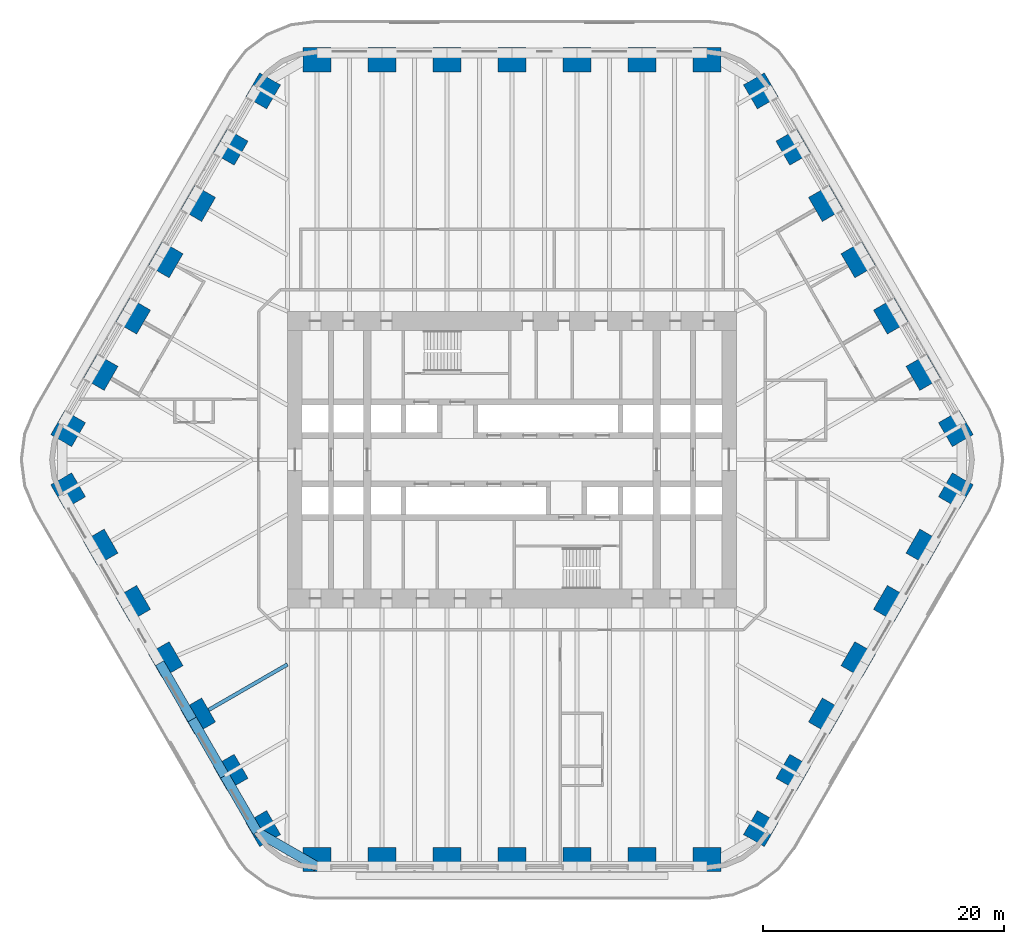
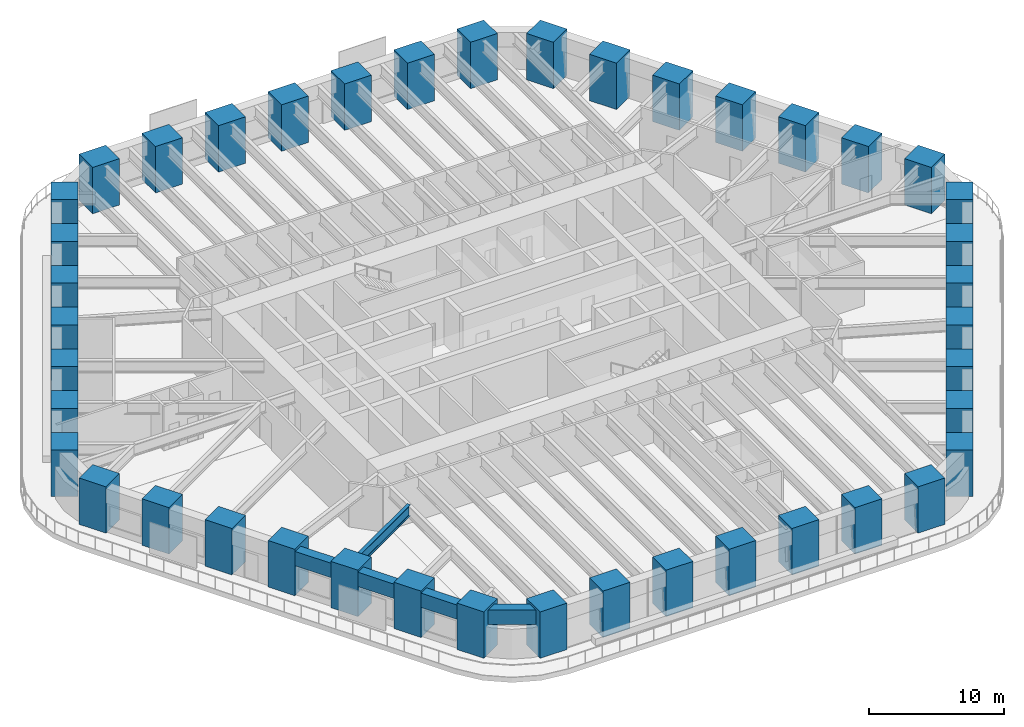
# One storey, part 1 of 23: 42 columns, 5 beams.
"""IFC4 building model written with IfcOpenShell, lengths in metres."""

import ifcopenshell
import ifcopenshell.guid

model = None  # the IFC model being written
_history = None  # IfcOwnerHistory: only IFC2X3 demands one
_inside = {}  # id of a spatial element -> (the spatial element, [elements in it])
_under = {}  # id of a project, library or spatial element -> (it, [spatial elements below it])
_declared = {}  # id of a project -> (the project, [libraries it declares])
_typed = {}  # id of a type object -> (the type object, [elements of that type])
_made_of = {}  # id of a material, layer set ... -> (it, [elements and type objects made of it])


def new_model(schema):
    """Start an empty IFC model of exactly this schema.

    Asked for "IFC4X3", IfcOpenShell would pick the latest addendum, in which some entities
    have other attributes; the version numbers below select the first issue.
    IFC2X3 requires an IfcOwnerHistory on every rooted entity: one is made here for all.
    """
    global model, _history
    if schema == "IFC4X3":
        model = ifcopenshell.file(schema_version=(4, 3, 0, 0))
    else:
        model = ifcopenshell.file(schema=schema)
    _inside.clear()
    _under.clear()
    _declared.clear()
    _typed.clear()
    _made_of.clear()
    _history = None
    if model.schema == "IFC2X3":
        org = make("IfcOrganization", Name="unknown")
        user = make(
            "IfcPersonAndOrganization",
            ThePerson=make("IfcPerson", FamilyName="unknown"),
            TheOrganization=org,
        )
        app = make(
            "IfcApplication",
            ApplicationDeveloper=org,
            Version="unknown",
            ApplicationFullName="unknown",
            ApplicationIdentifier="unknown",
        )
        _history = make(
            "IfcOwnerHistory",
            OwningUser=user,
            OwningApplication=app,
            ChangeAction="ADDED",
            CreationDate=0,
        )
    return model


def make(cls, **values):
    """One entity of the class cls with the attributes given. An attribute that is None is left unset."""
    return model.create_entity(
        cls, **{name: value for name, value in values.items() if value is not None}
    )


def rooted(cls, **values):
    """An entity with a GlobalId (a new one), such as an element, a storey or a relation."""
    return make(cls, GlobalId=ifcopenshell.guid.new(), OwnerHistory=_history, **values)


def si_unit(unit_type, name, prefix=None):
    """IfcSIUnit, for example si_unit("LENGTHUNIT", "METRE", prefix="MILLI")."""
    return make("IfcSIUnit", UnitType=unit_type, Prefix=prefix, Name=name)


def assignment(units):
    """IfcUnitAssignment: the units of a project."""
    return None if units is None else make("IfcUnitAssignment", Units=units)


def point(xyz):
    """IfcCartesianPoint."""
    return None if xyz is None else make("IfcCartesianPoint", Coordinates=xyz)


def direction(xyz):
    """IfcDirection."""
    return None if xyz is None else make("IfcDirection", DirectionRatios=xyz)


def frame(location, z_axis=None, x_axis=None):
    """IfcAxis2Placement3D, a coordinate frame: its origin and axes. An axis left out is left unset."""
    return make(
        "IfcAxis2Placement3D",
        Location=point(location),
        Axis=direction(z_axis),
        RefDirection=direction(x_axis),
    )


def frame_2d(location, x_axis=None):
    """IfcAxis2Placement2D, a coordinate frame in the plane: its origin and x axis."""
    return make(
        "IfcAxis2Placement2D", Location=point(location), RefDirection=direction(x_axis)
    )


def origin():
    """The frame at (0, 0, 0) with its axes left unset."""
    return frame((0.0, 0.0, 0.0))


def origin_2d():
    """The frame at (0, 0) in the plane with its x axis left unset."""
    return frame_2d((0.0, 0.0))


def place(relative_to, where):
    """IfcLocalPlacement: puts the frame where relative to a parent placement (None: the world)."""
    return make(
        "IfcLocalPlacement", PlacementRelTo=relative_to, RelativePlacement=where
    )


def context(
    kind, dimensions, precision=None, world=None, true_north=None, identifier=None
):
    """IfcGeometricRepresentationContext, for example the 3D "Model" context."""
    return make(
        "IfcGeometricRepresentationContext",
        ContextIdentifier=identifier,
        ContextType=kind,
        CoordinateSpaceDimension=dimensions,
        Precision=precision,
        WorldCoordinateSystem=world,
        TrueNorth=true_north,
    )


def subcontext(parent, identifier, kind, view, scale=None):
    """IfcGeometricRepresentationSubContext, for example "Body" below "Model"."""
    return make(
        "IfcGeometricRepresentationSubContext",
        ContextIdentifier=identifier,
        ContextType=kind,
        ParentContext=parent,
        TargetScale=scale,
        TargetView=view,
    )


def project(units=None, contexts=None):
    """IfcProject with its units and contexts."""
    return rooted(
        "IfcProject",
        Name="project",
        RepresentationContexts=contexts,
        UnitsInContext=assignment(units),
    )


def spatial(cls, under=None, at=None, **own):
    """A site, building, storey or space (cls), placed at a placement, below another one or the project."""
    s = rooted(cls, ObjectPlacement=at, **own)
    if under is not None:
        _under.setdefault(under.id(), (under, []))[1].append(s)
    return s


def profile(cls, at=None, kind="AREA", **sizes):
    """A parametric profile (cls). Its sizes go by their IFC names, for example OverallWidth=200.0."""
    return make(cls, ProfileType=kind, Position=at, **sizes)


def rectangle(**sizes):
    """IfcRectangleProfileDef."""
    return profile("IfcRectangleProfileDef", **sizes)


def i_section(**sizes):
    """IfcIShapeProfileDef."""
    return profile("IfcIShapeProfileDef", **sizes)


def extrude(swept, where, along, depth):
    """IfcExtrudedAreaSolid: the profile swept, set in the frame where, extruded along a direction by depth."""
    return make(
        "IfcExtrudedAreaSolid",
        SweptArea=swept,
        Position=where,
        ExtrudedDirection=direction(along),
        Depth=depth,
    )


def shape(context_of_items, identifier, shape_type, items):
    """IfcShapeRepresentation: the items that make up one representation, for example the "Body"."""
    return make(
        "IfcShapeRepresentation",
        ContextOfItems=context_of_items,
        RepresentationIdentifier=identifier,
        RepresentationType=shape_type,
        Items=items,
    )


def material(Name=None, Category=None):
    """IfcMaterial."""
    return make("IfcMaterial", Name=Name, Category=Category)


def material_profile(
    of_material, cross_section, Name=None, Category=None, Priority=None
):
    """IfcMaterialProfile: a cross section and its material."""
    return make(
        "IfcMaterialProfile",
        Name=Name,
        Material=of_material,
        Profile=cross_section,
        Priority=Priority,
        Category=Category,
    )


def profile_set(profiles, Name=None, composite=None):
    """IfcMaterialProfileSet."""
    return make(
        "IfcMaterialProfileSet",
        Name=Name,
        MaterialProfiles=profiles,
        CompositeProfile=composite,
    )


def made_of(thing, what):
    """Note that an element or type object is made of a material, layer set ...; save() writes the relation."""
    if what is not None:
        _made_of.setdefault(what.id(), (what, []))[1].append(thing)
    return thing


def type_object(cls, material=None, **own):
    """A type object (cls), such as IfcWallType, which elements share."""
    return made_of(rooted(cls, **own), material)


def element(
    cls,
    number,
    at=None,
    inside=None,
    cuts=None,
    type_object=None,
    material=None,
    context=None,
    identifier="Body",
    shape_type=None,
    held_by="IfcProductDefinitionShape",
    body=None,
    shapes=None,
    **own,
):
    """One element of the class cls, such as IfcWall. Its Tag is "e" and its number.

    at: its placement. inside: the storey or other place that contains it. cuts: it is an
    opening in that element (IfcRelVoidsElement). A single representation is given by context,
    identifier, shape_type and body (its items); several are given by shapes. held_by: the class
    of the entity that holds the representations. save() writes the other relations.
    """
    e = rooted(cls, Tag="e%d" % number, ObjectPlacement=at, **own)
    if body is not None:
        shapes = [shape(context, identifier, shape_type, body)]
    if shapes is not None:
        e.Representation = make(held_by, Representations=shapes)
    if inside is not None:
        _inside.setdefault(inside.id(), (inside, []))[1].append(e)
    if cuts is not None:
        rooted(
            "IfcRelVoidsElement", RelatingBuildingElement=cuts, RelatedOpeningElement=e
        )
    if type_object is not None:
        _typed.setdefault(type_object.id(), (type_object, []))[1].append(e)
    return made_of(e, material)


def aggregate(whole, parts):
    """IfcRelAggregates: a whole, such as a stair, and the parts it consists of."""
    return rooted("IfcRelAggregates", RelatingObject=whole, RelatedObjects=parts)


def save(model, path):
    """Write the relations noted so far, then the file.

    IfcRelAggregates (storeys below a building ...), IfcRelContainedInSpatialStructure (elements
    in a storey), IfcRelDefinesByType, IfcRelAssociatesMaterial and IfcRelDeclares: one each for
    every whole, place, type object, material and project.
    """
    for whole, parts in _under.values():
        aggregate(whole, parts)
    for where, things in _inside.values():
        rooted(
            "IfcRelContainedInSpatialStructure",
            RelatedElements=things,
            RelatingStructure=where,
        )
    for kind, things in _typed.values():
        rooted("IfcRelDefinesByType", RelatedObjects=things, RelatingType=kind)
    for what, things in _made_of.values():
        rooted("IfcRelAssociatesMaterial", RelatedObjects=things, RelatingMaterial=what)
    for by, libraries in _declared.values():
        rooted("IfcRelDeclares", RelatingContext=by, RelatedDefinitions=libraries)
    model.write(path)


model = new_model("IFC4")

# Units and contexts
model_context = context("Model", 3, precision=1e-05, world=origin(), true_north=direction((0.0, 1.0)))
body_context = subcontext(model_context, "Body", "Model", "MODEL_VIEW")
ifc_project = project(units=[si_unit("LENGTHUNIT", "METRE"), si_unit("AREAUNIT", "SQUARE_METRE"), si_unit("VOLUMEUNIT", "CUBIC_METRE"), si_unit("PLANEANGLEUNIT", "RADIAN"), si_unit("MASSUNIT", "GRAM", prefix="KILO")], contexts=[model_context])

# Site, building, storey
site_placement = place(None, origin())
site = spatial("IfcSite", under=ifc_project, at=site_placement, CompositionType="ELEMENT")
building_placement = place(site_placement, origin())
building = spatial("IfcBuilding", under=site, at=building_placement, Name="Tarfa Lantern Tower", CompositionType="ELEMENT")
storey_placement = place(building_placement, frame((0.0, 0.0, 40.300048828125)))
storey = spatial("IfcBuildingStorey", under=building, at=storey_placement, Name="L08", CompositionType="ELEMENT", Elevation=40.300048828125)

# Columns
ifc_material_1 = material(Name="Concrete C80/95", Category="concrete")
ifc_material_profile_1 = material_profile(ifc_material_1, rectangle(XDim=2.300048828125, YDim=2.0, at=origin_2d()), Name="RC 2300x2000")
ifc_profile_set_1 = profile_set([ifc_material_profile_1], Name="Concrete C80/95")
column_type = type_object("IfcColumnType", Name="TC1 RC 2300x2000", PredefinedType="COLUMN", material=ifc_profile_set_1)
for number, where, z_axis, x_axis, name in (
    (1, (36.791748046875, 2.574951171875, 0.0), (0.0, 0.0, 1.0), (-0.5, 0.866025403784, 0.0), "Tube column NE0"),
    (2, (34.097412109375, 7.24169921875, 0.0), (0.0, 0.0, 1.0), (-0.5, 0.866025403784, 0.0), "Tube column NE1"),
    (3, (31.403076171875, 11.908447265625, 0.0), (0.0, 0.0, 1.0), (-0.5, 0.866025403784, 0.0), "Tube column NE2"),
    (4, (28.708740234375, 16.574951171875, 0.0), (0.0, 0.0, 1.0), (-0.5, 0.866025403784, 0.0), "Tube column NE3"),
    (5, (26.014404296875, 21.24169921875, 0.0), (0.0, 0.0, 1.0), (-0.5, 0.866025403784, 0.0), "Tube column NE4"),
    (6, (23.320068359375, 25.908447265625, 0.0), (0.0, 0.0, 1.0), (-0.5, 0.866025403784, 0.0), "Tube column NE5"),
    (7, (20.625732421875, 30.574951171875, 0.0), (0.0, 0.0, 1.0), (-0.5, 0.866025403784, 0.0), "Tube column NE6"),
    (8, (16.165771484375, 33.14990234375, 0.0), (0.0, 0.0, 1.0), (-1.0, 0.0, 0.0), "Tube column N0"),
    (9, (10.777099609375, 33.14990234375, 0.0), (0.0, 0.0, 1.0), (-1.0, 0.0, 0.0), "Tube column N1"),
    (10, (5.388671875, 33.14990234375, 0.0), (0.0, 0.0, 1.0), (-1.0, 0.0, 0.0), "Tube column N2"),
    (11, (0.0, 33.14990234375, 0.0), (0.0, 0.0, 1.0), (-1.0, 0.0, 0.0), "Tube column N3"),
    (12, (-5.388671875, 33.14990234375, 0.0), (0.0, 0.0, 1.0), (-1.0, 0.0, 0.0), "Tube column N4"),
    (13, (-10.777099609375, 33.14990234375, 0.0), (0.0, 0.0, 1.0), (-1.0, 0.0, 0.0), "Tube column N5"),
    (14, (-16.165771484375, 33.14990234375, 0.0), (0.0, 0.0, 1.0), (-1.0, 0.0, 0.0), "Tube column N6"),
    (15, (-20.625732421875, 30.574951171875, 0.0), (0.0, 0.0, 1.0), (-0.5, -0.866025403784, 0.0), "Tube column NW0"),
    (16, (-23.320068359375, 25.908447265625, 0.0), (0.0, 0.0, 1.0), (-0.5, -0.866025403784, 0.0), "Tube column NW1"),
    (17, (-26.014404296875, 21.24169921875, 0.0), (0.0, 0.0, 1.0), (-0.5, -0.866025403784, 0.0), "Tube column NW2"),
    (18, (-28.708740234375, 16.574951171875, 0.0), (0.0, 0.0, 1.0), (-0.5, -0.866025403784, 0.0), "Tube column NW3"),
    (19, (-31.403076171875, 11.908447265625, 0.0), (0.0, 0.0, 1.0), (-0.5, -0.866025403784, 0.0), "Tube column NW4"),
    (20, (-34.097412109375, 7.24169921875, 0.0), (0.0, 0.0, 1.0), (-0.5, -0.866025403784, 0.0), "Tube column NW5"),
    (21, (-36.791748046875, 2.574951171875, 0.0), (0.0, 0.0, 1.0), (-0.5, -0.866025403784, 0.0), "Tube column NW6"),
    (22, (-36.791748046875, -2.574951171875, 0.0), (0.0, 0.0, 1.0), (0.5, -0.866025403784, 0.0), "Tube column SW0"),
    (23, (-34.097412109375, -7.24169921875, 0.0), (0.0, 0.0, 1.0), (0.5, -0.866025403784, 0.0), "Tube column SW1"),
    (24, (-31.403076171875, -11.908447265625, 0.0), (0.0, 0.0, 1.0), (0.5, -0.866025403784, 0.0), "Tube column SW2"),
    (25, (-28.708740234375, -16.574951171875, 0.0), (0.0, 0.0, 1.0), (0.5, -0.866025403784, 0.0), "Tube column SW3"),
    (26, (-26.014404296875, -21.24169921875, 0.0), (0.0, 0.0, 1.0), (0.5, -0.866025403784, 0.0), "Tube column SW4"),
    (27, (-23.320068359375, -25.908447265625, 0.0), (0.0, 0.0, 1.0), (0.5, -0.866025403784, 0.0), "Tube column SW5"),
    (28, (-20.625732421875, -30.574951171875, 0.0), (0.0, 0.0, 1.0), (0.5, -0.866025403784, 0.0), "Tube column SW6"),
    (29, (-16.165771484375, -33.14990234375, 0.0), (0.0, 0.0, 1.0), (1.0, 0.0, 0.0), "Tube column S0"),
    (30, (-10.777099609375, -33.14990234375, 0.0), (0.0, 0.0, 1.0), (1.0, 0.0, 0.0), "Tube column S1"),
    (31, (-5.388671875, -33.14990234375, 0.0), (0.0, 0.0, 1.0), (1.0, 0.0, 0.0), "Tube column S2"),
    (32, (0.0, -33.14990234375, 0.0), (0.0, 0.0, 1.0), (1.0, 0.0, 0.0), "Tube column S3"),
    (33, (5.388671875, -33.14990234375, 0.0), (0.0, 0.0, 1.0), (1.0, 0.0, 0.0), "Tube column S4"),
    (34, (10.777099609375, -33.14990234375, 0.0), (0.0, 0.0, 1.0), (1.0, 0.0, 0.0), "Tube column S5"),
    (35, (16.165771484375, -33.14990234375, 0.0), (0.0, 0.0, 1.0), (1.0, 0.0, 0.0), "Tube column S6"),
    (36, (20.625732421875, -30.574951171875, 0.0), (0.0, 0.0, 1.0), (0.5, 0.866025403784, 0.0), "Tube column SE0"),
    (37, (23.320068359375, -25.908447265625, 0.0), (0.0, 0.0, 1.0), (0.5, 0.866025403784, 0.0), "Tube column SE1"),
    (38, (26.014404296875, -21.24169921875, 0.0), (0.0, 0.0, 1.0), (0.5, 0.866025403784, 0.0), "Tube column SE2"),
    (39, (28.708740234375, -16.574951171875, 0.0), (0.0, 0.0, 1.0), (0.5, 0.866025403784, 0.0), "Tube column SE3"),
    (40, (31.403076171875, -11.908447265625, 0.0), (0.0, 0.0, 1.0), (0.5, 0.866025403784, 0.0), "Tube column SE4"),
    (41, (34.097412109375, -7.24169921875, 0.0), (0.0, 0.0, 1.0), (0.5, 0.866025403784, 0.0), "Tube column SE5"),
    (42, (36.791748046875, -2.574951171875, 0.0), (0.0, 0.0, 1.0), (0.5, 0.866025403784, 0.0), "Tube column SE6"),
):
    element("IfcColumn", number, at=place(storey_placement, frame(where, z_axis=z_axis, x_axis=x_axis)), inside=storey, type_object=column_type, Name=name, PredefinedType="COLUMN", context=body_context, shape_type="SweptSolid", body=[
        extrude(rectangle(XDim=2.300048828125, YDim=2.0, at=origin_2d()), origin(), (0.0, 0.0, 1.0), 4.199951171875),
    ])

# Beams
ifc_material_profile_2 = material_profile(ifc_material_1, rectangle(XDim=0.800048828125, YDim=1.300048828125, at=origin_2d()), Name="RC 800x1300")
ifc_profile_set_2 = profile_set([ifc_material_profile_2], Name="Concrete C80/95")
beam_type_1 = type_object("IfcBeamType", Name="EB1 RC 800x1300", PredefinedType="SPANDREL", material=ifc_profile_set_2)
beam_1_placement = place(storey_placement, frame((-29.202392578125, -16.860107421875, 3.349853515625), z_axis=(0.500017906299, -0.866015065331, 0.0), x_axis=(0.866015065331, 0.500017906299, 0.0)))
element("IfcBeam", 43, at=beam_1_placement, inside=storey, type_object=beam_type_1, Name="Edge beam SW3", PredefinedType="SPANDREL", context=body_context, shape_type="SweptSolid", body=[
    extrude(rectangle(XDim=0.800048828125, YDim=1.300048828125, at=origin_2d()), origin(), (0.0, 0.0, 1.0), 5.388427734375),
])
for number, where, z_axis, x_axis, name in (
    (44, (-26.508056640625, -21.526611328125, 3.349853515625), (0.499998287579, -0.866026392449, 0.0), (0.866026392449, 0.499998287579, 0.0), "Edge beam SW4"),
    (45, (-23.813720703125, -26.193359375, 3.349853515625), (0.499998287579, -0.866026392449, 0.0), (0.866026392449, 0.499998287579, 0.0), "Edge beam SW5"),
):
    element("IfcBeam", number, at=place(storey_placement, frame(where, z_axis=z_axis, x_axis=x_axis)), inside=storey, type_object=beam_type_1, Name=name, PredefinedType="SPANDREL", context=body_context, shape_type="SweptSolid", body=[
        extrude(rectangle(XDim=0.800048828125, YDim=1.300048828125, at=origin_2d()), origin(), (0.0, 0.0, 1.0), 5.388671875),
    ])
beam_2_placement = place(storey_placement, frame((-21.119384765625, -30.860107421875, 3.349853515625), z_axis=(0.866033479681, -0.499986011877, 0.0), x_axis=(0.499986011877, 0.866033479681, 0.0)))
element("IfcBeam", 46, at=beam_2_placement, inside=storey, type_object=beam_type_1, Name="Edge beam SW6", PredefinedType="SPANDREL", context=body_context, shape_type="SweptSolid", body=[
    extrude(rectangle(XDim=0.800048828125, YDim=1.300048828125, at=origin_2d()), origin(), (0.0, 0.0, 1.0), 5.719970703125),
])
ifc_material_2 = material(Name="Steel S460M", Category="steel")
ifc_material_profile_3 = material_profile(ifc_material_2, i_section(OverallWidth=0.302001953125, OverallDepth=1.008056640625, WebThickness=0.02099609375, FlangeThickness=0.0400390625, FilletRadius=0.030029296875, at=origin_2d()), Name="UB1016x305x349")
ifc_profile_set_3 = profile_set([ifc_material_profile_3], Name="Steel S460M")
beam_type_2 = type_object("IfcBeamType", Name="UB1016x305x349", PredefinedType="BEAM", material=ifc_profile_set_3)
beam_3_placement = place(storey_placement, frame((-26.508056640625, -21.526611328125, 3.495849609375), z_axis=(0.866035355799, 0.49998276221, 0.0), x_axis=(-0.49998276221, 0.866035355799, 0.0)))
element("IfcBeam", 47, at=beam_3_placement, inside=storey, type_object=beam_type_2, Name="Floor beam SW4", PredefinedType="BEAM", context=body_context, shape_type="SweptSolid", body=[
    extrude(i_section(OverallWidth=0.302001953125, OverallDepth=1.008056640625, WebThickness=0.02099609375, FlangeThickness=0.0400390625, FilletRadius=0.030029296875, at=origin_2d()), origin(), (0.0, 0.0, 1.0), 9.119873046875),
])

save(model, "model.ifc")
